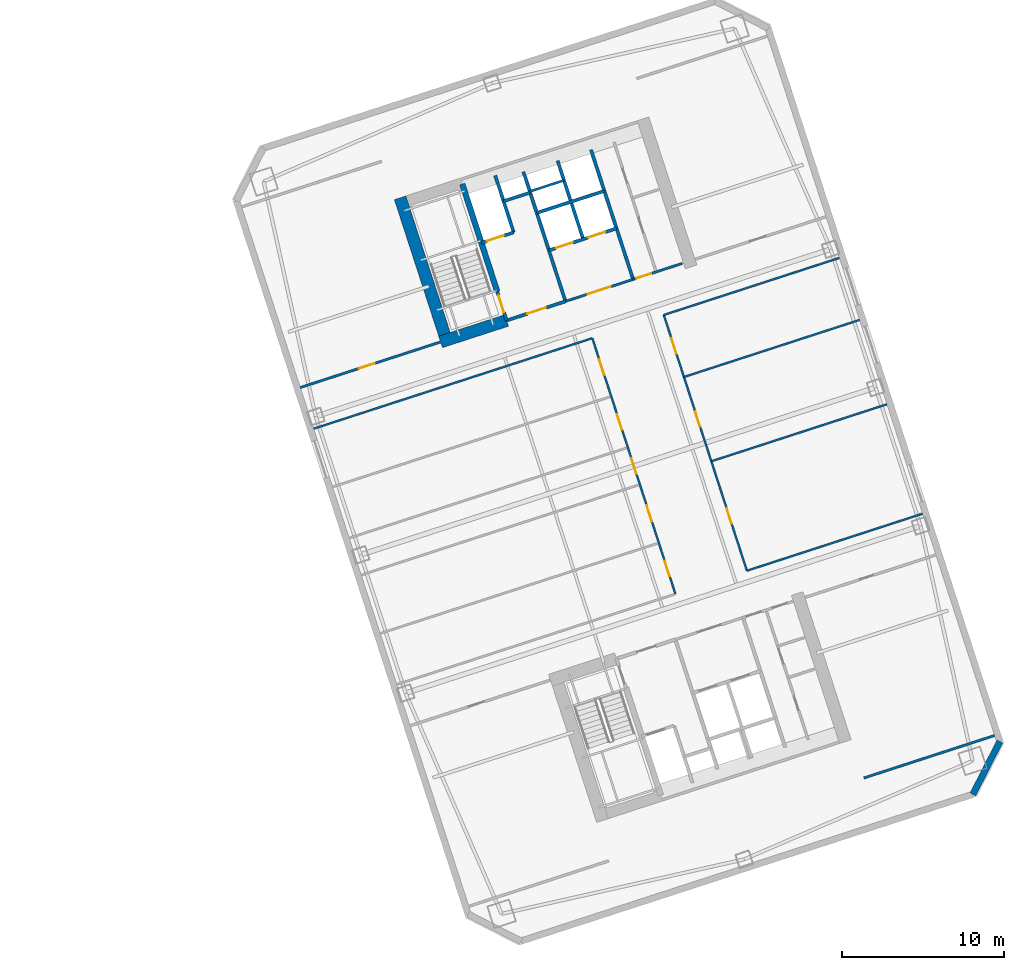
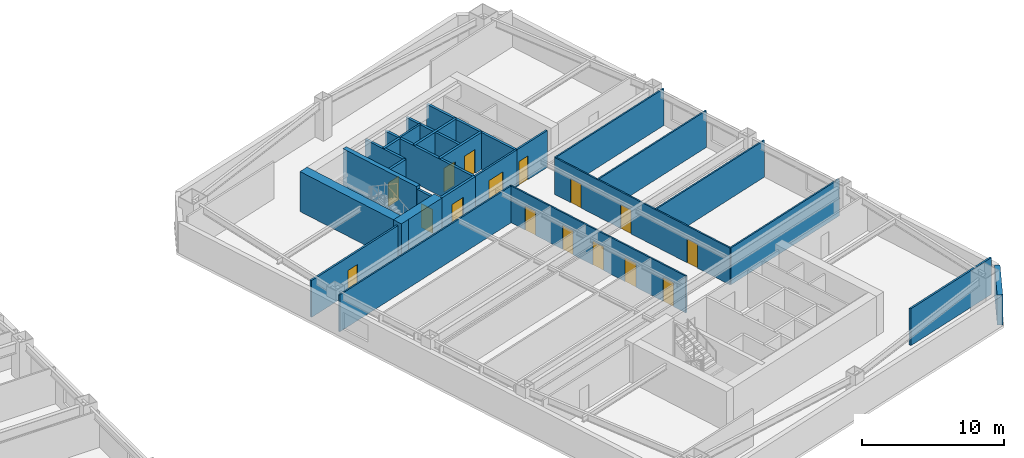
# One storey, part 9 of 13: 26 walls, 16 doors, 16 openings.
"""IFC4 building model written with IfcOpenShell, lengths in metres."""

from ifc_helpers import new_model, si_unit, direction, frame, frame_2d, origin, place, context, subcontext, project, spatial, rectangle, extrude, material, layer, layer_set, type_object, element, fill, save


model = new_model("IFC4")

# Units and contexts
model_context = context("Model", 3, precision=1e-05, world=origin(), true_north=direction((0.0, 1.0)))
body_context = subcontext(model_context, "Body", "Model", "MODEL_VIEW")
ifc_project = project(units=[si_unit("LENGTHUNIT", "METRE"), si_unit("AREAUNIT", "SQUARE_METRE"), si_unit("VOLUMEUNIT", "CUBIC_METRE"), si_unit("PLANEANGLEUNIT", "RADIAN"), si_unit("MASSUNIT", "GRAM", prefix="KILO")], contexts=[model_context])

# Site, building, storey
site_placement = place(None, origin())
site = spatial("IfcSite", under=ifc_project, at=site_placement, CompositionType="ELEMENT")
building_placement = place(site_placement, origin())
building = spatial("IfcBuilding", under=site, at=building_placement, Name="Qiaolan Cultural Towers", CompositionType="ELEMENT")
storey_placement = place(building_placement, frame((0.0, 0.0, 85.10009765625)))
storey = spatial("IfcBuildingStorey", under=building, at=storey_placement, Name="L21", CompositionType="ELEMENT", Elevation=85.10009765625)

# Walls
ifc_material_1 = material(Name="Concrete C50", Category="concrete")
ifc_layer_1 = layer(ifc_material_1, 0.35009765625)
ifc_layer_set_1 = layer_set([ifc_layer_1], Name="Concrete C50")
wall_type_1 = type_object("IfcWallType", Name="WL-CORE-350", PredefinedType="SHEAR", material=ifc_layer_set_1)
wall_1_placement = place(storey_placement, frame((82.513671875, 45.13134765625, 0.0), z_axis=(0.0, 0.0, 1.0), x_axis=(-0.308988790936, 0.951065679686, 0.0)))
element("IfcWall", 1, at=wall_1_placement, inside=storey, type_object=wall_type_1, Name="L21 T2-CN Stair Core Dividing Web", PredefinedType="SHEAR", context=body_context, shape_type="SweptSolid", body=[
    extrude(rectangle(XDim=6.97998046875, YDim=0.35009765625, at=frame_2d((3.489990234375, 0.0))), origin(), (0.0, 0.0, 1.0), 3.449951171875),
])
ifc_material_2 = material(Name="Concrete C60", Category="concrete")
ifc_layer_2 = layer(ifc_material_2, 0.75)
ifc_layer_set_2 = layer_set([ifc_layer_2], Name="Concrete C60")
wall_type_2 = type_object("IfcWallType", Name="WL-CORE-750", PredefinedType="SHEAR", material=ifc_layer_set_2)
wall_2_placement = place(storey_placement, frame((79.48876953125, 41.75634765625, 0.0), z_axis=(0.0, 0.0, 1.0), x_axis=(-0.309016134813, 0.951056795583, 0.0)))
element("IfcWall", 2, at=wall_2_placement, inside=storey, type_object=wall_type_2, Name="L21 T2-CN West Core Shear Wall", PredefinedType="SHEAR", context=body_context, shape_type="SweptSolid", body=[
    extrude(rectangle(XDim=9.630126953125, YDim=0.75, at=frame_2d((4.81494140625, 0.0))), origin(), (0.0, 0.0, 1.0), 3.449951171875),
])
wall_3_placement = place(storey_placement, frame((79.01611328125, 41.997314453125, 0.0), z_axis=(0.0, 0.0, 1.0), x_axis=(0.95106038264, 0.309005094736, 0.0)))
element("IfcWall", 3, at=wall_3_placement, inside=storey, type_object=wall_type_2, Name="L21 T2-CN Stair Front Shear Wall", PredefinedType="SHEAR", context=body_context, shape_type="SweptSolid", body=[
    extrude(rectangle(XDim=4.294921875, YDim=0.75, at=frame_2d((2.1474609375, 0.0))), origin(), (0.0, 0.0, 1.0), 3.449951171875),
])
ifc_material_3 = material(Name="Precast Concrete C50 Honed Stone Pier", Category="masonry")
ifc_layer_3 = layer(ifc_material_3, 0.39990234375)
ifc_layer_set_3 = layer_set([ifc_layer_3], Name="Precast Concrete C50 Honed Stone Pier")
wall_type_3 = type_object("IfcWallType", Name="WL-EXT-PIER-400", PredefinedType="SOLIDWALL", material=ifc_layer_set_3)
wall_4_placement = place(storey_placement, frame((113.62255859375, 17.281494140625, 0.0), z_axis=(0.0, 0.0, 1.0), x_axis=(-0.454026238093, -0.890988313685, 0.0)))
element("IfcWall", 4, at=wall_4_placement, inside=storey, type_object=wall_type_3, Name="L21 East Tower Precast Pier Facade Wall F6", PredefinedType="SOLIDWALL", context=body_context, shape_type="SweptSolid", body=[
    extrude(rectangle(XDim=3.677001953125, YDim=0.39990234375, at=frame_2d((1.83837890625, 0.0))), origin(), (0.0, 0.0, 1.0), 2.60986328125),
])

# Wall, opening, door
ifc_material_4 = material(Name="Concrete C35 Fire Wall", Category="concrete")
ifc_layer_4 = layer(ifc_material_4, 0.199951171875)
ifc_layer_set_4 = layer_set([ifc_layer_4], Name="Concrete C35 Fire Wall")
wall_type_4 = type_object("IfcWallType", Name="WL-FIRE-200", PredefinedType="PARTITIONING", material=ifc_layer_set_4)
wall_5_placement = place(storey_placement, frame((83.100830078125, 43.324462890625, 0.0), z_axis=(0.0, 0.0, 1.0), x_axis=(-0.309048298632, 0.951046344356, 0.0)))
wall_5 = element("IfcWall", 5, at=wall_5_placement, inside=storey, type_object=wall_type_4, Name="L21 T2-CN Smokeproof Stair Entry Wall", PredefinedType="PARTITIONING", context=body_context, shape_type="SweptSolid", body=[
    extrude(rectangle(XDim=1.89990234375, YDim=0.199951171875, at=frame_2d((0.949951171875, 0.0))), origin(), (0.0, 0.0, 1.0), 3.1748046875),
])
opening_1_placement = place(wall_5_placement, frame((0.52001953125, 0.0, 0.0)))
opening_1 = element("IfcOpeningElement", 6, at=opening_1_placement, cuts=wall_5, Name="Opening FD-04", PredefinedType="OPENING", context=body_context, shape_type="SweptSolid", body=[
    extrude(rectangle(XDim=1.10009765625, YDim=2.050048828125, at=frame_2d((0.550048828125, 1.02490234375))), frame((0.0, 0.10986328125, 0.0), z_axis=(0.0, -1.0, 0.0), x_axis=(1.0, 0.0, 0.0)), (0.0, 0.0, 1.0), 0.219970703125),
])
ifc_material_5 = material(Name="Galvanized Steel Command Fire Door", Category="steel")
door_type_1 = type_object("IfcDoorType", Name="DR-FD90-1100", OperationType="NOTDEFINED", PredefinedType="DOOR", material=ifc_material_5)
door_1_placement = place(opening_1_placement, origin())
door_1 = element("IfcDoor", 7, at=door_1_placement, inside=storey, type_object=door_type_1, Name="L21 ST-E2 Smokeproof Stair Fire Door", OperationType="SINGLE_SWING_LEFT", OverallHeight=2.050048828125, OverallWidth=1.10009765625, PredefinedType="DOOR", context=body_context, shape_type="SweptSolid", body=[
    extrude(rectangle(XDim=1.10009765625, YDim=2.050048828125, at=frame_2d((0.550048828125, 1.02490234375))), frame((0.0, 0.02490234375, 0.0), z_axis=(0.0, -1.0, 0.0), x_axis=(1.0, 0.0, 0.0)), (0.0, 0.0, 1.0), 0.050048828125),
])
fill(opening_1, door_1)

# Wall
wall_6_placement = place(storey_placement, frame((86.743408203125, 44.508056640625, 0.0), z_axis=(0.0, 0.0, 1.0), x_axis=(-0.309016001439, 0.951056838919, 0.0)))
element("IfcWall", 8, at=wall_6_placement, inside=storey, type_object=wall_type_4, Name="L21 T2-CN Firefighting Zone Wall", PredefinedType="PARTITIONING", context=body_context, shape_type="SweptSolid", body=[
    extrude(rectangle(XDim=8.429931640625, YDim=0.199951171875, at=frame_2d((4.21484375, 0.0))), origin(), (0.0, 0.0, 1.0), 3.1748046875),
])

# Wall, opening, door
wall_7_placement = place(storey_placement, frame((83.100830078125, 43.324462890625, 0.0), z_axis=(0.0, 0.0, 1.0), x_axis=(0.951052804469, 0.309028417967, 0.0)))
wall_7 = element("IfcWall", 9, at=wall_7_placement, inside=storey, type_object=wall_type_4, Name="L21 T2-CN Firefighting Lobby Front Wall", PredefinedType="PARTITIONING", context=body_context, shape_type="SweptSolid", body=[
    extrude(rectangle(XDim=3.830078125, YDim=0.199951171875, at=frame_2d((1.9150390625, 0.0))), origin(), (0.0, 0.0, 1.0), 3.1748046875),
])
opening_2_placement = place(wall_7_placement, frame((1.35009765625, 0.0, 0.0)))
opening_2 = element("IfcOpeningElement", 10, at=opening_2_placement, cuts=wall_7, Name="Opening FD-03", PredefinedType="OPENING", context=body_context, shape_type="SweptSolid", body=[
    extrude(rectangle(XDim=1.199951171875, YDim=2.050048828125, at=frame_2d((0.60009765625, 1.02490234375))), frame((0.0, 0.10986328125, 0.0), z_axis=(0.0, -1.0, 0.0), x_axis=(1.0, 0.0, 0.0)), (0.0, 0.0, 1.0), 0.219970703125),
])
ifc_material_6 = material(Name="Galvanized Steel Smokeproof Lobby Fire Door", Category="steel")
door_type_2 = type_object("IfcDoorType", Name="DR-FD90-1200", OperationType="NOTDEFINED", PredefinedType="DOOR", material=ifc_material_6)
door_2_placement = place(opening_2_placement, origin())
door_2 = element("IfcDoor", 11, at=door_2_placement, inside=storey, type_object=door_type_2, Name="L21 FFL-E2 Firefighting Lobby Fire Door", OperationType="SINGLE_SWING_LEFT", OverallHeight=2.050048828125, OverallWidth=1.199951171875, PredefinedType="DOOR", context=body_context, shape_type="SweptSolid", body=[
    extrude(rectangle(XDim=1.199951171875, YDim=2.050048828125, at=frame_2d((0.60009765625, 1.02490234375))), frame((0.0, 0.02490234375, 0.0), z_axis=(0.0, -1.0, 0.0), x_axis=(1.0, 0.0, 0.0)), (0.0, 0.0, 1.0), 0.050048828125),
])
fill(opening_2, door_2)

wall_8_placement = place(storey_placement, frame((81.540283203125, 48.127197265625, 0.0), z_axis=(0.0, 0.0, 1.0), x_axis=(0.951062257173, 0.308999325213, 0.0)))
wall_8 = element("IfcWall", 12, at=wall_8_placement, inside=storey, type_object=wall_type_4, Name="L21 T2-CN Firefighting Shaft Front Wall", PredefinedType="PARTITIONING", context=body_context, shape_type="SweptSolid", body=[
    extrude(rectangle(XDim=2.10009765625, YDim=0.199951171875, at=frame_2d((1.050048828125, 0.0))), origin(), (0.0, 0.0, 1.0), 3.1748046875),
])
opening_3_placement = place(wall_8_placement, frame((0.35009765625, 0.0, 0.0)))
opening_3 = element("IfcOpeningElement", 13, at=opening_3_placement, cuts=wall_8, Name="Opening LD-01", PredefinedType="OPENING", context=body_context, shape_type="SweptSolid", body=[
    extrude(rectangle(XDim=1.10009765625, YDim=2.050048828125, at=frame_2d((0.550048828125, 1.02490234375))), frame((0.0, 0.10986328125, 0.0), z_axis=(0.0, -1.0, 0.0), x_axis=(1.0, 0.0, 0.0)), (0.0, 0.0, 1.0), 0.219970703125),
])
ifc_material_7 = material(Name="Brushed Stainless Steel S30408 Centre-Parting Lift Landing Door", Category="steel")
door_type_3 = type_object("IfcDoorType", Name="DR-LIFT-1100", OperationType="NOTDEFINED", PredefinedType="DOOR", material=ifc_material_7)
door_3_placement = place(opening_3_placement, origin())
door_3 = element("IfcDoor", 14, at=door_3_placement, inside=storey, type_object=door_type_3, Name="L21 FFL-E2 Firefighting Lift Landing Door", OperationType="DOUBLE_DOOR_SLIDING", OverallHeight=2.050048828125, OverallWidth=1.10009765625, PredefinedType="DOOR", context=body_context, shape_type="SweptSolid", body=[
    extrude(rectangle(XDim=1.10009765625, YDim=2.050048828125, at=frame_2d((0.550048828125, 1.02490234375))), frame((0.0, 0.02490234375, 0.0), z_axis=(0.0, -1.0, 0.0), x_axis=(1.0, 0.0, 0.0)), (0.0, 0.0, 1.0), 0.050048828125),
])
fill(opening_3, door_3)

# Walls
wall_9_placement = place(storey_placement, frame((83.53759765625, 48.776123046875, 0.0), z_axis=(0.0, 0.0, 1.0), x_axis=(-0.3089935693, 0.951064127245, 0.0)))
element("IfcWall", 15, at=wall_9_placement, inside=storey, type_object=wall_type_4, Name="L21 T2-CN Firefighting Hoistway East Wall", PredefinedType="PARTITIONING", context=body_context, shape_type="SweptSolid", body=[
    extrude(rectangle(XDim=3.7001953125, YDim=0.199951171875, at=frame_2d((1.85009765625, 0.0))), origin(), (0.0, 0.0, 1.0), 3.1748046875),
])
wall_10_placement = place(storey_placement, frame((82.910400390625, 50.706787109375, 0.0), z_axis=(0.0, 0.0, 1.0), x_axis=(0.951041328149, 0.309063734775, 0.0)))
element("IfcWall", 16, at=wall_10_placement, inside=storey, type_object=wall_type_4, Name="L21 T2-CN Pressurization Shaft Front Wall", PredefinedType="PARTITIONING", context=body_context, shape_type="SweptSolid", body=[
    extrude(rectangle(XDim=1.72998046875, YDim=0.199951171875, at=frame_2d((0.864990234375, 0.0))), origin(), (0.0, 0.0, 1.0), 3.1748046875),
])
wall_11_placement = place(storey_placement, frame((90.92822265625, 45.86767578125, 0.0), z_axis=(0.0, 0.0, 1.0), x_axis=(-0.309042196757, 0.951048327176, 0.0)))
element("IfcWall", 17, at=wall_11_placement, inside=storey, type_object=wall_type_4, Name="L21 T2-CN Lift Core East Wall", PredefinedType="PARTITIONING", context=body_context, shape_type="SweptSolid", body=[
    extrude(rectangle(XDim=8.429931640625, YDim=0.199951171875, at=frame_2d((4.21484375, 0.0))), origin(), (0.0, 0.0, 1.0), 3.1748046875),
])

# Wall, openings, doors
wall_12_placement = place(storey_placement, frame((85.717529296875, 47.66552734375, 0.0), z_axis=(0.0, 0.0, 1.0), x_axis=(0.951058531764, 0.30901079133, 0.0)))
wall_12 = element("IfcWall", 18, at=wall_12_placement, inside=storey, type_object=wall_type_4, Name="L21 T2-CN Passenger Lift Shaft Front Wall", PredefinedType="PARTITIONING", context=body_context, shape_type="SweptSolid", body=[
    extrude(rectangle(XDim=4.39990234375, YDim=0.199951171875, at=frame_2d((2.199951171875, 0.0))), origin(), (0.0, 0.0, 1.0), 3.1748046875),
])
opening_4_placement = place(wall_12_placement, frame((0.449951171875, 0.0, 0.0)))
opening_4 = element("IfcOpeningElement", 19, at=opening_4_placement, cuts=wall_12, Name="Opening LD-01", PredefinedType="OPENING", context=body_context, shape_type="SweptSolid", body=[
    extrude(rectangle(XDim=1.10009765625, YDim=2.050048828125, at=frame_2d((0.550048828125, 1.02490234375))), frame((0.0, 0.10986328125, 0.0), z_axis=(0.0, -1.0, 0.0), x_axis=(1.0, 0.0, 0.0)), (0.0, 0.0, 1.0), 0.219970703125),
])
opening_5_placement = place(wall_12_placement, frame((2.550048828125, 0.0, 0.0)))
opening_5 = element("IfcOpeningElement", 20, at=opening_5_placement, cuts=wall_12, Name="Opening LD-01", PredefinedType="OPENING", context=body_context, shape_type="SweptSolid", body=[
    extrude(rectangle(XDim=1.10009765625, YDim=2.050048828125, at=frame_2d((0.550048828125, 1.02490234375))), frame((0.0, 0.10986328125, 0.0), z_axis=(0.0, -1.0, 0.0), x_axis=(1.0, 0.0, 0.0)), (0.0, 0.0, 1.0), 0.219970703125),
])
door_4_placement = place(opening_4_placement, origin())
door_4 = element("IfcDoor", 21, at=door_4_placement, inside=storey, type_object=door_type_3, Name="L21 Passenger Lift 1 Landing Door", OperationType="DOUBLE_DOOR_SLIDING", OverallHeight=2.050048828125, OverallWidth=1.10009765625, PredefinedType="DOOR", context=body_context, shape_type="SweptSolid", body=[
    extrude(rectangle(XDim=1.10009765625, YDim=2.050048828125, at=frame_2d((0.550048828125, 1.02490234375))), frame((0.0, 0.02490234375, 0.0), z_axis=(0.0, -1.0, 0.0), x_axis=(1.0, 0.0, 0.0)), (0.0, 0.0, 1.0), 0.050048828125),
])
fill(opening_4, door_4)
door_5_placement = place(opening_5_placement, origin())
door_5 = element("IfcDoor", 22, at=door_5_placement, inside=storey, type_object=door_type_3, Name="L21 Passenger Lift 2 Landing Door", OperationType="DOUBLE_DOOR_SLIDING", OverallHeight=2.050048828125, OverallWidth=1.10009765625, PredefinedType="DOOR", context=body_context, shape_type="SweptSolid", body=[
    extrude(rectangle(XDim=1.10009765625, YDim=2.050048828125, at=frame_2d((0.550048828125, 1.02490234375))), frame((0.0, 0.02490234375, 0.0), z_axis=(0.0, -1.0, 0.0), x_axis=(1.0, 0.0, 0.0)), (0.0, 0.0, 1.0), 0.050048828125),
])
fill(opening_5, door_5)

# Walls
wall_13_placement = place(storey_placement, frame((87.83837890625, 48.3544921875, 0.0), z_axis=(0.0, 0.0, 1.0), x_axis=(-0.3090093719, 0.951058992953, 0.0)))
element("IfcWall", 23, at=wall_13_placement, inside=storey, type_object=wall_type_4, Name="L21 T2-CN Lift Shaft Divider Wall", PredefinedType="PARTITIONING", context=body_context, shape_type="SweptSolid", body=[
    extrude(rectangle(XDim=5.110107421875, YDim=0.199951171875, at=frame_2d((2.55517578125, 0.0))), origin(), (0.0, 0.0, 1.0), 3.1748046875),
])
wall_14_placement = place(storey_placement, frame((84.966552734375, 49.9765625, 0.0), z_axis=(0.0, 0.0, 1.0), x_axis=(0.951063829732, 0.308994485023, 0.0)))
element("IfcWall", 24, at=wall_14_placement, inside=storey, type_object=wall_type_4, Name="L21 T2-CN Passenger Lift Shaft Back Wall", PredefinedType="PARTITIONING", context=body_context, shape_type="SweptSolid", body=[
    extrude(rectangle(XDim=4.400146484375, YDim=0.199951171875, at=frame_2d((2.2001953125, 0.0))), origin(), (0.0, 0.0, 1.0), 3.1748046875),
])
ifc_material_8 = material(Name="Gypsum Stud Acoustic Partition", Category="gypsum")
ifc_layer_5 = layer(ifc_material_8, 0.1201171875)
ifc_layer_set_5 = layer_set([ifc_layer_5], Name="Gypsum Stud Acoustic Partition")
wall_type_5 = type_object("IfcWallType", Name="WL-PART-120", PredefinedType="PARTITIONING", material=ifc_layer_set_5)
wall_15_placement = place(storey_placement, frame((97.96826171875, 27.8408203125, 0.0), z_axis=(0.0, 0.0, 1.0), x_axis=(0.951055737546, 0.309019391108, 0.0)))
element("IfcWall", 25, at=wall_15_placement, inside=storey, type_object=wall_type_5, Name="L21 T2 South Corridor Right Wall", PredefinedType="PARTITIONING", context=body_context, shape_type="SweptSolid", body=[
    extrude(rectangle(XDim=11.4248046875, YDim=0.1201171875, at=frame_2d((5.71240234375, 0.0))), origin(), (0.0, 0.0, 1.0), 3.1748046875),
])
wall_16_placement = place(storey_placement, frame((71.166015625, 36.628662109375, 0.0), z_axis=(0.0, 0.0, 1.0), x_axis=(0.951057625014, 0.309013582067, 0.0)))
element("IfcWall", 26, at=wall_16_placement, inside=storey, type_object=wall_type_5, Name="L21 T2 North Corridor Left Wall", PredefinedType="PARTITIONING", context=body_context, shape_type="SweptSolid", body=[
    extrude(rectangle(XDim=18.124755859375, YDim=0.1201171875, at=frame_2d((9.0625, 0.0))), origin(), (0.0, 0.0, 1.0), 3.1748046875),
])
wall_17_placement = place(storey_placement, frame((92.826171875, 43.66650390625, 0.0), z_axis=(0.0, 0.0, 1.0), x_axis=(0.951057778088, 0.309013110947, 0.0)))
element("IfcWall", 27, at=wall_17_placement, inside=storey, type_object=wall_type_5, Name="L21 T2 North Corridor Right Wall", PredefinedType="PARTITIONING", context=body_context, shape_type="SweptSolid", body=[
    extrude(rectangle(XDim=11.425048828125, YDim=0.1201171875, at=frame_2d((5.71240234375, 0.0))), origin(), (0.0, 0.0, 1.0), 3.1748046875),
])

# Wall, openings, doors
wall_18_placement = place(storey_placement, frame((93.5458984375, 26.404052734375, 0.0), z_axis=(0.0, 0.0, 1.0), x_axis=(-0.309022042254, 0.951054876125, 0.0)))
wall_18 = element("IfcWall", 28, at=wall_18_placement, inside=storey, type_object=wall_type_5, Name="L21 T2 West Spine Wall", PredefinedType="PARTITIONING", context=body_context, shape_type="SweptSolid", body=[
    extrude(rectangle(XDim=16.639892578125, YDim=0.1201171875, at=frame_2d((8.31982421875, 0.0))), origin(), (0.0, 0.0, 1.0), 3.1748046875),
])
opening_6_placement = place(wall_18_placement, frame((1.159912109375, 0.0, 0.0)))
opening_6 = element("IfcOpeningElement", 29, at=opening_6_placement, cuts=wall_18, Name="Opening ID-04", PredefinedType="OPENING", context=body_context, shape_type="SweptSolid", body=[
    extrude(rectangle(XDim=1.0, YDim=2.050048828125, at=frame_2d((0.5, 1.02490234375))), frame((0.0, 0.070068359375, 0.0), z_axis=(0.0, -1.0, 0.0), x_axis=(1.0, 0.0, 0.0)), (0.0, 0.0, 1.0), 0.14013671875),
])
opening_7_placement = place(wall_18_placement, frame((4.719970703125, 0.0, 0.0)))
opening_7 = element("IfcOpeningElement", 30, at=opening_7_placement, cuts=wall_18, Name="Opening ID-07", PredefinedType="OPENING", context=body_context, shape_type="SweptSolid", body=[
    extrude(rectangle(XDim=1.050048828125, YDim=2.050048828125, at=frame_2d((0.52490234375, 1.02490234375))), frame((0.0, 0.070068359375, 0.0), z_axis=(0.0, -1.0, 0.0), x_axis=(1.0, 0.0, 0.0)), (0.0, 0.0, 1.0), 0.14013671875),
])
opening_8_placement = place(wall_18_placement, frame((7.822998046875, 0.0, 0.0)))
opening_8 = element("IfcOpeningElement", 31, at=opening_8_placement, cuts=wall_18, Name="Opening ID-04", PredefinedType="OPENING", context=body_context, shape_type="SweptSolid", body=[
    extrude(rectangle(XDim=1.0, YDim=2.050048828125, at=frame_2d((0.5, 1.02490234375))), frame((0.0, 0.070068359375, 0.0), z_axis=(0.0, -1.0, 0.0), x_axis=(1.0, 0.0, 0.0)), (0.0, 0.0, 1.0), 0.14013671875),
])
opening_9_placement = place(wall_18_placement, frame((10.690185546875, 0.0, 0.0)))
opening_9 = element("IfcOpeningElement", 32, at=opening_9_placement, cuts=wall_18, Name="Opening ID-04", PredefinedType="OPENING", context=body_context, shape_type="SweptSolid", body=[
    extrude(rectangle(XDim=1.0, YDim=2.050048828125, at=frame_2d((0.5, 1.02490234375))), frame((0.0, 0.070068359375, 0.0), z_axis=(0.0, -1.0, 0.0), x_axis=(1.0, 0.0, 0.0)), (0.0, 0.0, 1.0), 0.14013671875),
])
opening_10_placement = place(wall_18_placement, frame((14.2470703125, 0.0, 0.0)))
opening_10 = element("IfcOpeningElement", 33, at=opening_10_placement, cuts=wall_18, Name="Opening ID-04", PredefinedType="OPENING", context=body_context, shape_type="SweptSolid", body=[
    extrude(rectangle(XDim=1.0, YDim=2.050048828125, at=frame_2d((0.5, 1.02490234375))), frame((0.0, 0.070068359375, 0.0), z_axis=(0.0, -1.0, 0.0), x_axis=(1.0, 0.0, 0.0)), (0.0, 0.0, 1.0), 0.14013671875),
])
ifc_material_9 = material(Name="Oak Veneer Acoustic Office Door", Category="timber")
door_type_4 = type_object("IfcDoorType", Name="DR-INT-1000", OperationType="NOTDEFINED", PredefinedType="DOOR", material=ifc_material_9)
door_6_placement = place(opening_6_placement, origin())
door_6 = element("IfcDoor", 34, at=door_6_placement, inside=storey, type_object=door_type_4, Name="L21 T2 Health & Ergonomics Room Door", OperationType="SINGLE_SWING_LEFT", OverallHeight=2.050048828125, OverallWidth=1.0, PredefinedType="DOOR", context=body_context, shape_type="SweptSolid", body=[
    extrude(rectangle(XDim=1.0, YDim=2.050048828125, at=frame_2d((0.5, 1.02490234375))), frame((0.0, 0.02490234375, 0.0), z_axis=(0.0, -1.0, 0.0), x_axis=(1.0, 0.0, 0.0)), (0.0, 0.0, 1.0), 0.050048828125),
])
fill(opening_6, door_6)
door_7_placement = place(opening_8_placement, origin())
door_7 = element("IfcDoor", 35, at=door_7_placement, inside=storey, type_object=door_type_4, Name="L21 T2 Health & Ergonomics Room Door", OperationType="SINGLE_SWING_LEFT", OverallHeight=2.050048828125, OverallWidth=1.0, PredefinedType="DOOR", context=body_context, shape_type="SweptSolid", body=[
    extrude(rectangle(XDim=1.0, YDim=2.050048828125, at=frame_2d((0.5, 1.02490234375))), frame((0.0, 0.02490234375, 0.0), z_axis=(0.0, -1.0, 0.0), x_axis=(1.0, 0.0, 0.0)), (0.0, 0.0, 1.0), 0.050048828125),
])
fill(opening_8, door_7)
door_8_placement = place(opening_9_placement, origin())
door_8 = element("IfcDoor", 36, at=door_8_placement, inside=storey, type_object=door_type_4, Name="L21 T2 Executive Office Door", OperationType="SINGLE_SWING_RIGHT", OverallHeight=2.050048828125, OverallWidth=1.0, PredefinedType="DOOR", context=body_context, shape_type="SweptSolid", body=[
    extrude(rectangle(XDim=1.0, YDim=2.050048828125, at=frame_2d((0.5, 1.02490234375))), frame((0.0, 0.02490234375, 0.0), z_axis=(0.0, -1.0, 0.0), x_axis=(1.0, 0.0, 0.0)), (0.0, 0.0, 1.0), 0.050048828125),
])
fill(opening_9, door_8)
door_9_placement = place(opening_10_placement, origin())
door_9 = element("IfcDoor", 37, at=door_9_placement, inside=storey, type_object=door_type_4, Name="L21 T2 Executive Office Door", OperationType="SINGLE_SWING_LEFT", OverallHeight=2.050048828125, OverallWidth=1.0, PredefinedType="DOOR", context=body_context, shape_type="SweptSolid", body=[
    extrude(rectangle(XDim=1.0, YDim=2.050048828125, at=frame_2d((0.5, 1.02490234375))), frame((0.0, 0.02490234375, 0.0), z_axis=(0.0, -1.0, 0.0), x_axis=(1.0, 0.0, 0.0)), (0.0, 0.0, 1.0), 0.050048828125),
])
fill(opening_10, door_9)
ifc_material_10 = material(Name="Oak Veneer Consultation Door", Category="timber")
door_type_5 = type_object("IfcDoorType", Name="DR-INT-1050", OperationType="NOTDEFINED", PredefinedType="DOOR", material=ifc_material_10)
door_10_placement = place(opening_7_placement, origin())
door_10 = element("IfcDoor", 38, at=door_10_placement, inside=storey, type_object=door_type_5, Name="L21 T2 Health & Ergonomics Room Door", OperationType="SINGLE_SWING_RIGHT", OverallHeight=2.050048828125, OverallWidth=1.050048828125, PredefinedType="DOOR", context=body_context, shape_type="SweptSolid", body=[
    extrude(rectangle(XDim=1.050048828125, YDim=2.050048828125, at=frame_2d((0.52490234375, 1.02490234375))), frame((0.0, 0.02490234375, 0.0), z_axis=(0.0, -1.0, 0.0), x_axis=(1.0, 0.0, 0.0)), (0.0, 0.0, 1.0), 0.050048828125),
])
fill(opening_7, door_10)

wall_19_placement = place(storey_placement, frame((97.96826171875, 27.8408203125, 0.0), z_axis=(0.0, 0.0, 1.0), x_axis=(-0.30901773025, 0.951056277195, 0.0)))
wall_19 = element("IfcWall", 39, at=wall_19_placement, inside=storey, type_object=wall_type_5, Name="L21 T2 East Spine Wall", PredefinedType="PARTITIONING", context=body_context, shape_type="SweptSolid", body=[
    extrude(rectangle(XDim=16.64013671875, YDim=0.1201171875, at=frame_2d((8.320068359375, 0.0))), origin(), (0.0, 0.0, 1.0), 3.1748046875),
])
opening_11_placement = place(wall_19_placement, frame((3.06005859375, 0.0, 0.0)))
opening_11 = element("IfcOpeningElement", 40, at=opening_11_placement, cuts=wall_19, Name="Opening ID-04", PredefinedType="OPENING", context=body_context, shape_type="SweptSolid", body=[
    extrude(rectangle(XDim=1.0, YDim=2.050048828125, at=frame_2d((0.5, 1.02490234375))), frame((0.0, 0.070068359375, 0.0), z_axis=(0.0, -1.0, 0.0), x_axis=(1.0, 0.0, 0.0)), (0.0, 0.0, 1.0), 0.14013671875),
])
opening_12_placement = place(wall_19_placement, frame((9.362548828125, 0.0, 0.0)))
opening_12 = element("IfcOpeningElement", 41, at=opening_12_placement, cuts=wall_19, Name="Opening ID-04", PredefinedType="OPENING", context=body_context, shape_type="SweptSolid", body=[
    extrude(rectangle(XDim=1.0, YDim=2.050048828125, at=frame_2d((0.5, 1.02490234375))), frame((0.0, 0.070068359375, 0.0), z_axis=(0.0, -1.0, 0.0), x_axis=(1.0, 0.0, 0.0)), (0.0, 0.0, 1.0), 0.14013671875),
])
opening_13_placement = place(wall_19_placement, frame((14.12255859375, 0.0, 0.0)))
opening_13 = element("IfcOpeningElement", 42, at=opening_13_placement, cuts=wall_19, Name="Opening ID-04", PredefinedType="OPENING", context=body_context, shape_type="SweptSolid", body=[
    extrude(rectangle(XDim=1.0, YDim=2.050048828125, at=frame_2d((0.5, 1.02490234375))), frame((0.0, 0.070068359375, 0.0), z_axis=(0.0, -1.0, 0.0), x_axis=(1.0, 0.0, 0.0)), (0.0, 0.0, 1.0), 0.14013671875),
])
door_11_placement = place(opening_11_placement, origin())
door_11 = element("IfcDoor", 43, at=door_11_placement, inside=storey, type_object=door_type_4, Name="L21 T2 Members Lounge Door", OperationType="SINGLE_SWING_RIGHT", OverallHeight=2.050048828125, OverallWidth=1.0, PredefinedType="DOOR", context=body_context, shape_type="SweptSolid", body=[
    extrude(rectangle(XDim=1.0, YDim=2.050048828125, at=frame_2d((0.5, 1.02490234375))), frame((0.0, 0.02490234375, 0.0), z_axis=(0.0, -1.0, 0.0), x_axis=(1.0, 0.0, 0.0)), (0.0, 0.0, 1.0), 0.050048828125),
])
fill(opening_11, door_11)
door_12_placement = place(opening_12_placement, origin())
door_12 = element("IfcDoor", 44, at=door_12_placement, inside=storey, type_object=door_type_4, Name="L21 T2 Members Lounge Door", OperationType="SINGLE_SWING_LEFT", OverallHeight=2.050048828125, OverallWidth=1.0, PredefinedType="DOOR", context=body_context, shape_type="SweptSolid", body=[
    extrude(rectangle(XDim=1.0, YDim=2.050048828125, at=frame_2d((0.5, 1.02490234375))), frame((0.0, 0.02490234375, 0.0), z_axis=(0.0, -1.0, 0.0), x_axis=(1.0, 0.0, 0.0)), (0.0, 0.0, 1.0), 0.050048828125),
])
fill(opening_12, door_12)
door_13_placement = place(opening_13_placement, origin())
door_13 = element("IfcDoor", 45, at=door_13_placement, inside=storey, type_object=door_type_4, Name="L21 T2 Members Lounge Door", OperationType="SINGLE_SWING_RIGHT", OverallHeight=2.050048828125, OverallWidth=1.0, PredefinedType="DOOR", context=body_context, shape_type="SweptSolid", body=[
    extrude(rectangle(XDim=1.0, YDim=2.050048828125, at=frame_2d((0.5, 1.02490234375))), frame((0.0, 0.02490234375, 0.0), z_axis=(0.0, -1.0, 0.0), x_axis=(1.0, 0.0, 0.0)), (0.0, 0.0, 1.0), 0.050048828125),
])
fill(opening_13, door_13)

# Walls
wall_20_placement = place(storey_placement, frame((95.76806640625, 34.6123046875, 0.0), z_axis=(0.0, 0.0, 1.0), x_axis=(0.951055737546, 0.309019391108, 0.0)))
element("IfcWall", 46, at=wall_20_placement, inside=storey, type_object=wall_type_5, Name="L21 T2 East Partition 1", PredefinedType="PARTITIONING", context=body_context, shape_type="SweptSolid", body=[
    extrude(rectangle(XDim=11.4248046875, YDim=0.1201171875, at=frame_2d((5.71240234375, 0.0))), origin(), (0.0, 0.0, 1.0), 3.1748046875),
])
wall_21_placement = place(storey_placement, frame((94.072998046875, 39.828857421875, 0.0), z_axis=(0.0, 0.0, 1.0), x_axis=(0.951057778088, 0.309013110947, 0.0)))
element("IfcWall", 47, at=wall_21_placement, inside=storey, type_object=wall_type_5, Name="L21 T2 East Partition 2", PredefinedType="PARTITIONING", context=body_context, shape_type="SweptSolid", body=[
    extrude(rectangle(XDim=11.425048828125, YDim=0.1201171875, at=frame_2d((5.71240234375, 0.0))), origin(), (0.0, 0.0, 1.0), 3.1748046875),
])

# Wall, opening, door
ifc_material_11 = material(Name="Autoclaved Aerated Concrete Block B06", Category="concrete")
ifc_layer_6 = layer(ifc_material_11, 0.14990234375)
ifc_layer_set_6 = layer_set([ifc_layer_6], Name="Autoclaved Aerated Concrete Block B06")
wall_type_6 = type_object("IfcWallType", Name="WL-PART-150", PredefinedType="PARTITIONING", material=ifc_layer_set_6)
wall_22_placement = place(storey_placement, frame((86.743408203125, 44.508056640625, 0.0), z_axis=(0.0, 0.0, 1.0), x_axis=(0.951063829732, 0.308994485023, 0.0)))
wall_22 = element("IfcWall", 48, at=wall_22_placement, inside=storey, type_object=wall_type_6, Name="L21 T2-CN Passenger Lift Lobby Front Wall", PredefinedType="PARTITIONING", context=body_context, shape_type="SweptSolid", body=[
    extrude(rectangle(XDim=4.400146484375, YDim=0.14990234375, at=frame_2d((2.2001953125, 0.0))), origin(), (0.0, 0.0, 1.0), 3.1748046875),
])
opening_14_placement = place(wall_22_placement, frame((1.449951171875, 0.0, 0.0)))
opening_14 = element("IfcOpeningElement", 49, at=opening_14_placement, cuts=wall_22, Name="Opening FD-05", PredefinedType="OPENING", context=body_context, shape_type="SweptSolid", body=[
    extrude(rectangle(XDim=1.5, YDim=2.050048828125, at=frame_2d((0.75, 1.02490234375))), frame((0.0, 0.0849609375, 0.0), z_axis=(0.0, -1.0, 0.0), x_axis=(1.0, 0.0, 0.0)), (0.0, 0.0, 1.0), 0.169921875),
])
ifc_material_12 = material(Name="Painted Steel Lift Lobby Fire Door", Category="steel")
door_type_6 = type_object("IfcDoorType", Name="DR-FD60-1500", OperationType="NOTDEFINED", PredefinedType="DOOR", material=ifc_material_12)
door_14_placement = place(opening_14_placement, origin())
door_14 = element("IfcDoor", 50, at=door_14_placement, inside=storey, type_object=door_type_6, Name="L21 Passenger Lift Lobby Entrance", OperationType="SINGLE_SWING_LEFT", OverallHeight=2.050048828125, OverallWidth=1.5, PredefinedType="DOOR", context=body_context, shape_type="SweptSolid", body=[
    extrude(rectangle(XDim=1.5, YDim=2.050048828125, at=frame_2d((0.75, 1.02490234375))), frame((0.0, 0.02490234375, 0.0), z_axis=(0.0, -1.0, 0.0), x_axis=(1.0, 0.0, 0.0)), (0.0, 0.0, 1.0), 0.050048828125),
])
fill(opening_14, door_14)

# Wall
wall_23_placement = place(storey_placement, frame((84.533935546875, 51.30810546875, 0.0), z_axis=(0.0, 0.0, 1.0), x_axis=(0.951075093106, 0.308959814982, 0.0)))
element("IfcWall", 51, at=wall_23_placement, inside=storey, type_object=wall_type_6, Name="L21 T2-CN Core Rear Riser Split", PredefinedType="PARTITIONING", context=body_context, shape_type="SweptSolid", body=[
    extrude(rectangle(XDim=2.22998046875, YDim=0.14990234375, at=frame_2d((1.114990234375, 0.0))), origin(), (0.0, 0.0, 1.0), 3.1748046875),
])

# Wall, opening, door
wall_24_placement = place(storey_placement, frame((90.92822265625, 45.86767578125, 0.0), z_axis=(0.0, 0.0, 1.0), x_axis=(0.951059297078, 0.309008435874, 0.0)))
wall_24 = element("IfcWall", 52, at=wall_24_placement, inside=storey, type_object=wall_type_6, Name="L21 T2-CN Sanitary Core Front Wall", PredefinedType="PARTITIONING", context=body_context, shape_type="SweptSolid", body=[
    extrude(rectangle(XDim=3.19970703125, YDim=0.14990234375, at=frame_2d((1.599853515625, 0.0))), origin(), (0.0, 0.0, 1.0), 3.1748046875),
])
opening_15_placement = place(wall_24_placement, frame((0.219970703125, 0.0, 0.0)))
opening_15 = element("IfcOpeningElement", 53, at=opening_15_placement, cuts=wall_24, Name="Opening ID-05", PredefinedType="OPENING", context=body_context, shape_type="SweptSolid", body=[
    extrude(rectangle(XDim=0.949951171875, YDim=2.050048828125, at=frame_2d((0.47509765625, 1.02490234375))), frame((0.0, 0.0849609375, 0.0), z_axis=(0.0, -1.0, 0.0), x_axis=(1.0, 0.0, 0.0)), (0.0, 0.0, 1.0), 0.169921875),
])
ifc_material_13 = material(Name="Fire-Rated Laminate Accessible Core Door", Category="timber")
door_type_7 = type_object("IfcDoorType", Name="DR-INT-950", OperationType="NOTDEFINED", PredefinedType="DOOR", material=ifc_material_13)
door_15_placement = place(opening_15_placement, origin())
door_15 = element("IfcDoor", 54, at=door_15_placement, inside=storey, type_object=door_type_7, Name="L21 Sanitary Lobby Door", OperationType="SINGLE_SWING_LEFT", OverallHeight=2.050048828125, OverallWidth=0.949951171875, PredefinedType="DOOR", context=body_context, shape_type="SweptSolid", body=[
    extrude(rectangle(XDim=0.949951171875, YDim=2.050048828125, at=frame_2d((0.47509765625, 1.02490234375))), frame((0.0, 0.02490234375, 0.0), z_axis=(0.0, -1.0, 0.0), x_axis=(1.0, 0.0, 0.0)), (0.0, 0.0, 1.0), 0.050048828125),
])
fill(opening_15, door_15)

# Wall
wall_25_placement = place(storey_placement, frame((105.209228515625, 15.02099609375, 0.0), z_axis=(0.0, 0.0, 1.0), x_axis=(0.951054329824, 0.309023723562, 0.0)))
element("IfcWall", 55, at=wall_25_placement, inside=storey, type_object=wall_type_6, Name="L21 T2 Flank Wall FLK-SE", PredefinedType="PARTITIONING", context=body_context, shape_type="SweptSolid", body=[
    extrude(rectangle(XDim=8.5, YDim=0.14990234375, at=frame_2d((4.25, 0.0))), origin(), (0.0, 0.0, 1.0), 3.1748046875),
])

# Wall, opening, door
wall_26_placement = place(storey_placement, frame((70.337646484375, 39.177490234375, 0.0), z_axis=(0.0, 0.0, 1.0), x_axis=(0.951059695568, 0.309007209409, 0.0)))
wall_26 = element("IfcWall", 56, at=wall_26_placement, inside=storey, type_object=wall_type_6, Name="L21 T2 Flank Front FLK-NW", PredefinedType="PARTITIONING", context=body_context, shape_type="SweptSolid", body=[
    extrude(rectangle(XDim=9.10009765625, YDim=0.14990234375, at=frame_2d((4.550048828125, 0.0))), origin(), (0.0, 0.0, 1.0), 3.1748046875),
])
opening_16_placement = place(wall_26_placement, frame((3.822021484375, 0.0, 0.0)))
opening_16 = element("IfcOpeningElement", 57, at=opening_16_placement, cuts=wall_26, Name="Opening ID-04", PredefinedType="OPENING", context=body_context, shape_type="SweptSolid", body=[
    extrude(rectangle(XDim=1.0, YDim=2.050048828125, at=frame_2d((0.5, 1.02490234375))), frame((0.0, 0.0849609375, 0.0), z_axis=(0.0, -1.0, 0.0), x_axis=(1.0, 0.0, 0.0)), (0.0, 0.0, 1.0), 0.169921875),
])
door_16_placement = place(opening_16_placement, origin())
door_16 = element("IfcDoor", 58, at=door_16_placement, inside=storey, type_object=door_type_4, Name="L21 T2 Corner Studio Door", OperationType="SINGLE_SWING_LEFT", OverallHeight=2.050048828125, OverallWidth=1.0, PredefinedType="DOOR", context=body_context, shape_type="SweptSolid", body=[
    extrude(rectangle(XDim=1.0, YDim=2.050048828125, at=frame_2d((0.5, 1.02490234375))), frame((0.0, 0.02490234375, 0.0), z_axis=(0.0, -1.0, 0.0), x_axis=(1.0, 0.0, 0.0)), (0.0, 0.0, 1.0), 0.050048828125),
])
fill(opening_16, door_16)

save(model, "model.ifc")
